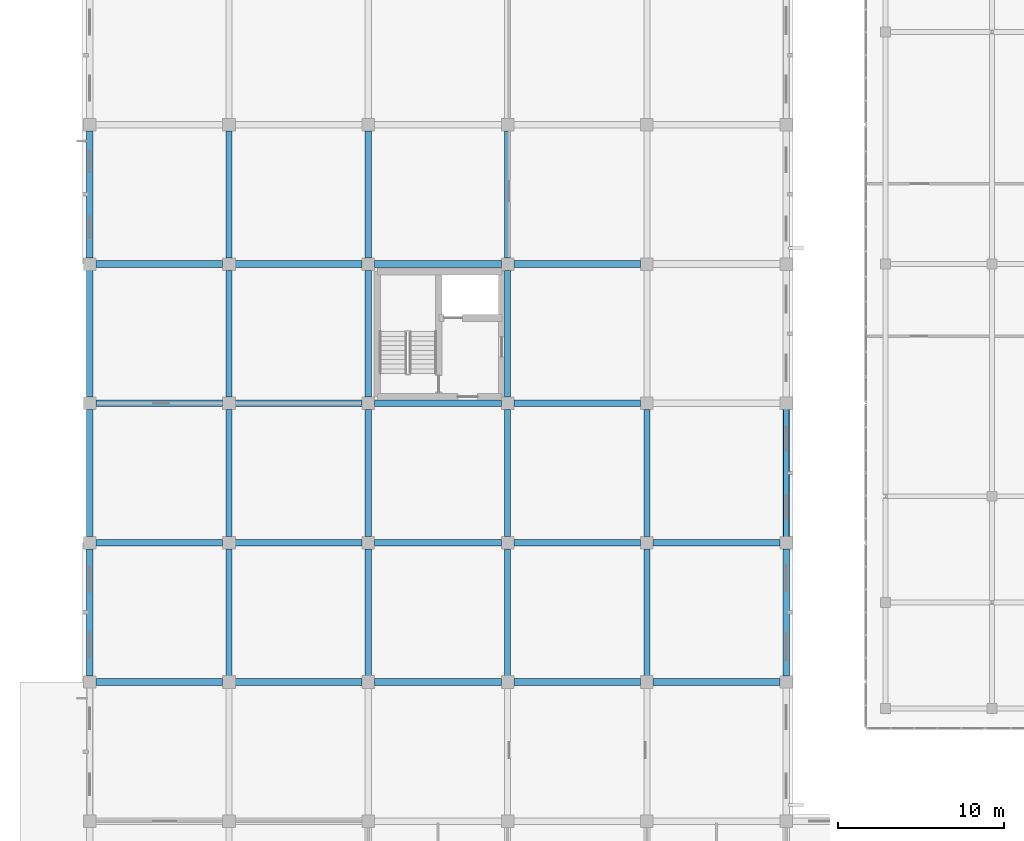
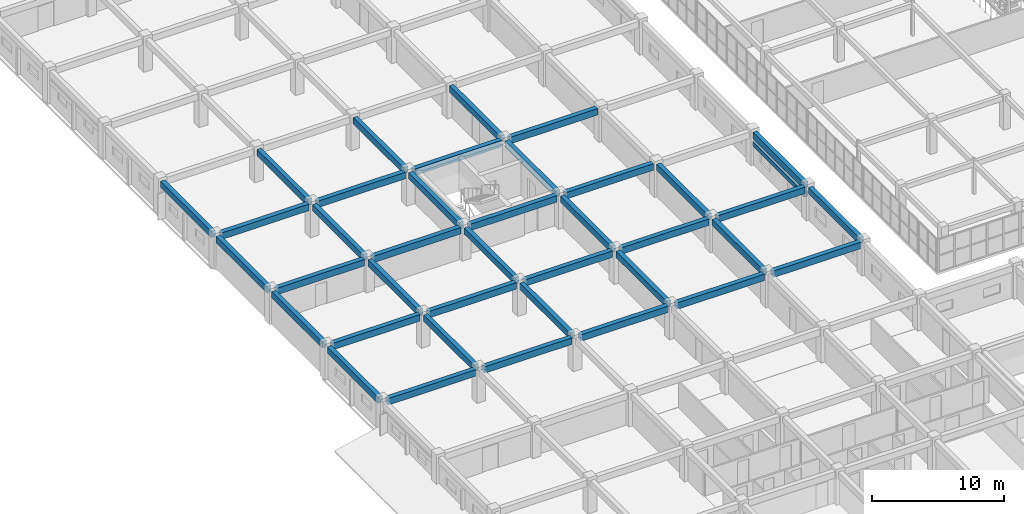
# One storey, part 34 of 200: 39 beams.
"""IFC4 building model written with IfcOpenShell, lengths in metres."""

from ifc_helpers import new_model, si_unit, direction, frame, origin, origin_2d, place, context, subcontext, project, spatial, rectangle, extrude, material, material_profile, profile_set, type_object, element, save


model = new_model("IFC4")

# Units and contexts
model_context = context("Model", 3, precision=1e-05, world=origin(), true_north=direction((0.0, 1.0)))
body_context = subcontext(model_context, "Body", "Model", "MODEL_VIEW")
ifc_project = project(units=[si_unit("LENGTHUNIT", "METRE"), si_unit("AREAUNIT", "SQUARE_METRE"), si_unit("VOLUMEUNIT", "CUBIC_METRE"), si_unit("PLANEANGLEUNIT", "RADIAN"), si_unit("MASSUNIT", "GRAM", prefix="KILO")], contexts=[model_context])

# Site, building, storey
site_placement = place(None, origin())
site = spatial("IfcSite", under=ifc_project, at=site_placement, CompositionType="ELEMENT")
building_placement = place(site_placement, origin())
building = spatial("IfcBuilding", under=site, at=building_placement, Name="Trelvath General Hospital", CompositionType="ELEMENT")
storey_placement = place(building_placement, frame((0.0, 0.0, 4.800048828125)))
storey = spatial("IfcBuildingStorey", under=building, at=storey_placement, Name="L01", CompositionType="ELEMENT", Elevation=4.800048828125)

# Beams
ifc_material_1 = material(Name="Concrete C35/45", Category="concrete")
ifc_material_profile_1 = material_profile(ifc_material_1, rectangle(XDim=0.3798828125, YDim=0.580078125, at=origin_2d()), Name="RCB380x580")
ifc_profile_set_1 = profile_set([ifc_material_profile_1], Name="Concrete C35/45")
beam_type_1 = type_object("IfcBeamType", Name="Beam RC380x580", PredefinedType="BEAM", material=ifc_profile_set_1)
for number, where, z_axis, x_axis, name in (
    (1, (0.0, 33.969970703125, 2.72998046875), (0.0, 1.0, 0.0), (-1.0, 0.0, 0.0), "Grid Beam BY-100E"),
    (2, (0.0, 42.3701171875, 2.72998046875), (0.0, 1.0, 0.0), (-1.0, 0.0, 0.0), "Grid Beam BY-100F"),
    (3, (0.0, 50.77001953125, 2.72998046875), (0.0, 1.0, 0.0), (-1.0, 0.0, 0.0), "Grid Beam BY-100G"),
):
    element("IfcBeam", number, at=place(storey_placement, frame(where, z_axis=z_axis, x_axis=x_axis)), inside=storey, type_object=beam_type_1, Name=name, PredefinedType="BEAM", context=body_context, shape_type="SweptSolid", body=[
        extrude(rectangle(XDim=0.3798828125, YDim=0.580078125, at=origin_2d()), origin(), (0.0, 0.0, 1.0), 7.659912109375),
    ])
beam_1_placement = place(storey_placement, frame((0.0, 59.169921875, 2.72998046875), z_axis=(0.0, 1.0, 0.0), x_axis=(-1.0, 0.0, 0.0)))
element("IfcBeam", 4, at=beam_1_placement, inside=storey, type_object=beam_type_1, Name="Grid Beam BY-100H", PredefinedType="BEAM", context=body_context, shape_type="SweptSolid", body=[
    extrude(rectangle(XDim=0.3798828125, YDim=0.580078125, at=origin_2d()), origin(), (0.0, 0.0, 1.0), 7.66015625),
])
for number, where, z_axis, x_axis, name in (
    (5, (8.39990234375, 33.97509765625, 2.72998046875), (0.0, 1.0, 0.0), (-1.0, 0.0, 0.0), "Grid Beam BY-101E"),
    (6, (8.39990234375, 42.375, 2.72998046875), (0.0, 1.0, 0.0), (-1.0, 0.0, 0.0), "Grid Beam BY-101F"),
):
    element("IfcBeam", number, at=place(storey_placement, frame(where, z_axis=z_axis, x_axis=x_axis)), inside=storey, type_object=beam_type_1, Name=name, PredefinedType="BEAM", context=body_context, shape_type="SweptSolid", body=[
        extrude(rectangle(XDim=0.3798828125, YDim=0.580078125, at=origin_2d()), origin(), (0.0, 0.0, 1.0), 7.64990234375),
    ])
beam_2_placement = place(storey_placement, frame((8.39990234375, 50.77490234375, 2.72998046875), z_axis=(0.0, 1.0, 0.0), x_axis=(-1.0, 0.0, 0.0)))
element("IfcBeam", 7, at=beam_2_placement, inside=storey, type_object=beam_type_1, Name="Grid Beam BY-101G", PredefinedType="BEAM", context=body_context, shape_type="SweptSolid", body=[
    extrude(rectangle(XDim=0.3798828125, YDim=0.580078125, at=origin_2d()), origin(), (0.0, 0.0, 1.0), 7.650146484375),
])
for number, where, z_axis, x_axis, name in (
    (8, (8.39990234375, 59.175048828125, 2.72998046875), (0.0, 1.0, 0.0), (-1.0, 0.0, 0.0), "Grid Beam BY-101H"),
    (9, (16.800048828125, 33.97509765625, 2.72998046875), (0.0, 1.0, 0.0), (-1.0, 0.0, 0.0), "Grid Beam BY-102E"),
    (10, (16.800048828125, 42.375, 2.72998046875), (0.0, 1.0, 0.0), (-1.0, 0.0, 0.0), "Grid Beam BY-102F"),
):
    element("IfcBeam", number, at=place(storey_placement, frame(where, z_axis=z_axis, x_axis=x_axis)), inside=storey, type_object=beam_type_1, Name=name, PredefinedType="BEAM", context=body_context, shape_type="SweptSolid", body=[
        extrude(rectangle(XDim=0.3798828125, YDim=0.580078125, at=origin_2d()), origin(), (0.0, 0.0, 1.0), 7.64990234375),
    ])
beam_3_placement = place(storey_placement, frame((16.800048828125, 50.77490234375, 2.72998046875), z_axis=(0.0, 1.0, 0.0), x_axis=(-1.0, 0.0, 0.0)))
element("IfcBeam", 11, at=beam_3_placement, inside=storey, type_object=beam_type_1, Name="Grid Beam BY-102G", PredefinedType="BEAM", context=body_context, shape_type="SweptSolid", body=[
    extrude(rectangle(XDim=0.3798828125, YDim=0.580078125, at=origin_2d()), origin(), (0.0, 0.0, 1.0), 7.650146484375),
])
for number, where, z_axis, x_axis, name in (
    (12, (16.800048828125, 59.175048828125, 2.72998046875), (0.0, 1.0, 0.0), (-1.0, 0.0, 0.0), "Grid Beam BY-102H"),
    (13, (25.199951171875, 33.97509765625, 2.72998046875), (0.0, 1.0, 0.0), (-1.0, 0.0, 0.0), "Grid Beam BY-103E"),
    (14, (25.199951171875, 42.375, 2.72998046875), (0.0, 1.0, 0.0), (-1.0, 0.0, 0.0), "Grid Beam BY-103F"),
):
    element("IfcBeam", number, at=place(storey_placement, frame(where, z_axis=z_axis, x_axis=x_axis)), inside=storey, type_object=beam_type_1, Name=name, PredefinedType="BEAM", context=body_context, shape_type="SweptSolid", body=[
        extrude(rectangle(XDim=0.3798828125, YDim=0.580078125, at=origin_2d()), origin(), (0.0, 0.0, 1.0), 7.64990234375),
    ])
beam_4_placement = place(storey_placement, frame((25.199951171875, 50.77490234375, 2.72998046875), z_axis=(0.0, 1.0, 0.0), x_axis=(-1.0, 0.0, 0.0)))
element("IfcBeam", 15, at=beam_4_placement, inside=storey, type_object=beam_type_1, Name="Grid Beam BY-103G", PredefinedType="BEAM", context=body_context, shape_type="SweptSolid", body=[
    extrude(rectangle(XDim=0.3798828125, YDim=0.580078125, at=origin_2d()), origin(), (0.0, 0.0, 1.0), 7.650146484375),
])
for number, where, z_axis, x_axis, name in (
    (16, (25.199951171875, 59.175048828125, 2.72998046875), (0.0, 1.0, 0.0), (-1.0, 0.0, 0.0), "Grid Beam BY-103H"),
    (17, (33.60009765625, 33.97509765625, 2.72998046875), (0.0, 1.0, 0.0), (-1.0, 0.0, 0.0), "Grid Beam BY-104E"),
    (18, (33.60009765625, 42.375, 2.72998046875), (0.0, 1.0, 0.0), (-1.0, 0.0, 0.0), "Grid Beam BY-104F"),
):
    element("IfcBeam", number, at=place(storey_placement, frame(where, z_axis=z_axis, x_axis=x_axis)), inside=storey, type_object=beam_type_1, Name=name, PredefinedType="BEAM", context=body_context, shape_type="SweptSolid", body=[
        extrude(rectangle(XDim=0.3798828125, YDim=0.580078125, at=origin_2d()), origin(), (0.0, 0.0, 1.0), 7.64990234375),
    ])
for number, where, z_axis, x_axis, name in (
    (19, (42.0, 33.969970703125, 2.72998046875), (0.0, 1.0, 0.0), (-1.0, 0.0, 0.0), "Grid Beam BY-105E"),
    (20, (42.0, 42.3701171875, 2.72998046875), (0.0, 1.0, 0.0), (-1.0, 0.0, 0.0), "Grid Beam BY-105F"),
):
    element("IfcBeam", number, at=place(storey_placement, frame(where, z_axis=z_axis, x_axis=x_axis)), inside=storey, type_object=beam_type_1, Name=name, PredefinedType="BEAM", context=body_context, shape_type="SweptSolid", body=[
        extrude(rectangle(XDim=0.3798828125, YDim=0.580078125, at=origin_2d()), origin(), (0.0, 0.0, 1.0), 7.659912109375),
    ])
ifc_material_2 = material(Name="Concrete C35/45", Category="concrete")
ifc_material_profile_2 = material_profile(ifc_material_2, rectangle(XDim=0.39990234375, YDim=0.60009765625, at=origin_2d()), Name="RCB400x600")
ifc_profile_set_2 = profile_set([ifc_material_profile_2], Name="Concrete C35/45")
beam_type_2 = type_object("IfcBeamType", Name="Beam RC400x600", PredefinedType="BEAM", material=ifc_profile_set_2)
for number, where, z_axis, x_axis, name in (
    (21, (0.3701171875, 33.60009765625, 2.719970703125), (1.0, 0.0, 0.0), (0.0, 1.0, 0.0), "Grid Beam BX-100E"),
    (22, (0.3701171875, 42.0, 2.719970703125), (1.0, 0.0, 0.0), (0.0, 1.0, 0.0), "Grid Beam BX-100F"),
    (23, (0.3701171875, 50.39990234375, 2.719970703125), (1.0, 0.0, 0.0), (0.0, 1.0, 0.0), "Grid Beam BX-100G"),
    (24, (0.3701171875, 58.800048828125, 2.719970703125), (1.0, 0.0, 0.0), (0.0, 1.0, 0.0), "Grid Beam BX-100H"),
):
    element("IfcBeam", number, at=place(storey_placement, frame(where, z_axis=z_axis, x_axis=x_axis)), inside=storey, type_object=beam_type_2, Name=name, PredefinedType="BEAM", context=body_context, shape_type="SweptSolid", body=[
        extrude(rectangle(XDim=0.39990234375, YDim=0.60009765625, at=origin_2d()), origin(), (0.0, 0.0, 1.0), 7.65478515625),
    ])
for number, where, z_axis, x_axis, name in (
    (25, (8.77490234375, 33.60009765625, 2.719970703125), (1.0, 0.0, 0.0), (0.0, 1.0, 0.0), "Grid Beam BX-101E"),
    (26, (8.77490234375, 42.0, 2.719970703125), (1.0, 0.0, 0.0), (0.0, 1.0, 0.0), "Grid Beam BX-101F"),
    (27, (8.77490234375, 50.39990234375, 2.719970703125), (1.0, 0.0, 0.0), (0.0, 1.0, 0.0), "Grid Beam BX-101G"),
    (28, (8.77490234375, 58.800048828125, 2.719970703125), (1.0, 0.0, 0.0), (0.0, 1.0, 0.0), "Grid Beam BX-101H"),
):
    element("IfcBeam", number, at=place(storey_placement, frame(where, z_axis=z_axis, x_axis=x_axis)), inside=storey, type_object=beam_type_2, Name=name, PredefinedType="BEAM", context=body_context, shape_type="SweptSolid", body=[
        extrude(rectangle(XDim=0.39990234375, YDim=0.60009765625, at=origin_2d()), origin(), (0.0, 0.0, 1.0), 7.650146484375),
    ])
for number, where, z_axis, x_axis, name in (
    (29, (17.175048828125, 33.60009765625, 2.719970703125), (1.0, 0.0, 0.0), (0.0, 1.0, 0.0), "Grid Beam BX-102E"),
    (30, (17.175048828125, 42.0, 2.719970703125), (1.0, 0.0, 0.0), (0.0, 1.0, 0.0), "Grid Beam BX-102F"),
    (31, (17.175048828125, 50.39990234375, 2.719970703125), (1.0, 0.0, 0.0), (0.0, 1.0, 0.0), "Grid Beam BX-102G"),
    (32, (17.175048828125, 58.800048828125, 2.719970703125), (1.0, 0.0, 0.0), (0.0, 1.0, 0.0), "Grid Beam BX-102H"),
):
    element("IfcBeam", number, at=place(storey_placement, frame(where, z_axis=z_axis, x_axis=x_axis)), inside=storey, type_object=beam_type_2, Name=name, PredefinedType="BEAM", context=body_context, shape_type="SweptSolid", body=[
        extrude(rectangle(XDim=0.39990234375, YDim=0.60009765625, at=origin_2d()), origin(), (0.0, 0.0, 1.0), 7.64990234375),
    ])
for number, where, z_axis, x_axis, name in (
    (33, (25.574951171875, 33.60009765625, 2.719970703125), (1.0, 0.0, 0.0), (0.0, 1.0, 0.0), "Grid Beam BX-103E"),
    (34, (25.574951171875, 42.0, 2.719970703125), (1.0, 0.0, 0.0), (0.0, 1.0, 0.0), "Grid Beam BX-103F"),
    (35, (25.574951171875, 50.39990234375, 2.719970703125), (1.0, 0.0, 0.0), (0.0, 1.0, 0.0), "Grid Beam BX-103G"),
    (36, (25.574951171875, 58.800048828125, 2.719970703125), (1.0, 0.0, 0.0), (0.0, 1.0, 0.0), "Grid Beam BX-103H"),
):
    element("IfcBeam", number, at=place(storey_placement, frame(where, z_axis=z_axis, x_axis=x_axis)), inside=storey, type_object=beam_type_2, Name=name, PredefinedType="BEAM", context=body_context, shape_type="SweptSolid", body=[
        extrude(rectangle(XDim=0.39990234375, YDim=0.60009765625, at=origin_2d()), origin(), (0.0, 0.0, 1.0), 7.650146484375),
    ])
for number, where, z_axis, x_axis, name in (
    (37, (33.97509765625, 33.60009765625, 2.719970703125), (1.0, 0.0, 0.0), (0.0, 1.0, 0.0), "Grid Beam BX-104E"),
    (38, (33.97509765625, 42.0, 2.719970703125), (1.0, 0.0, 0.0), (0.0, 1.0, 0.0), "Grid Beam BX-104F"),
):
    element("IfcBeam", number, at=place(storey_placement, frame(where, z_axis=z_axis, x_axis=x_axis)), inside=storey, type_object=beam_type_2, Name=name, PredefinedType="BEAM", context=body_context, shape_type="SweptSolid", body=[
        extrude(rectangle(XDim=0.39990234375, YDim=0.60009765625, at=origin_2d()), origin(), (0.0, 0.0, 1.0), 7.65478515625),
    ])
ifc_material_3 = material(Name="Precast concrete C40/50", Category="concrete")
ifc_material_profile_3 = material_profile(ifc_material_3, rectangle(XDim=0.35009765625, YDim=0.419921875, at=origin_2d()), Name="PCL350x420")
ifc_profile_set_3 = profile_set([ifc_material_profile_3], Name="Precast concrete C40/50")
beam_type_3 = type_object("IfcBeamType", Name="Lintel PC350x420", PredefinedType="LINTEL", material=ifc_profile_set_3)
beam_5_placement = place(storey_placement, frame((42.0, 50.110107421875, 1.919921875), z_axis=(0.0, -1.0, 0.0), x_axis=(1.0, 0.0, 0.0)))
element("IfcBeam", 39, at=beam_5_placement, inside=storey, type_object=beam_type_3, Name="Precast Window Brow Lintel L01-133", PredefinedType="LINTEL", context=body_context, shape_type="SweptSolid", body=[
    extrude(rectangle(XDim=0.35009765625, YDim=0.419921875, at=origin_2d()), origin(), (0.0, 0.0, 1.0), 7.820068359375),
])

save(model, "model.ifc")
